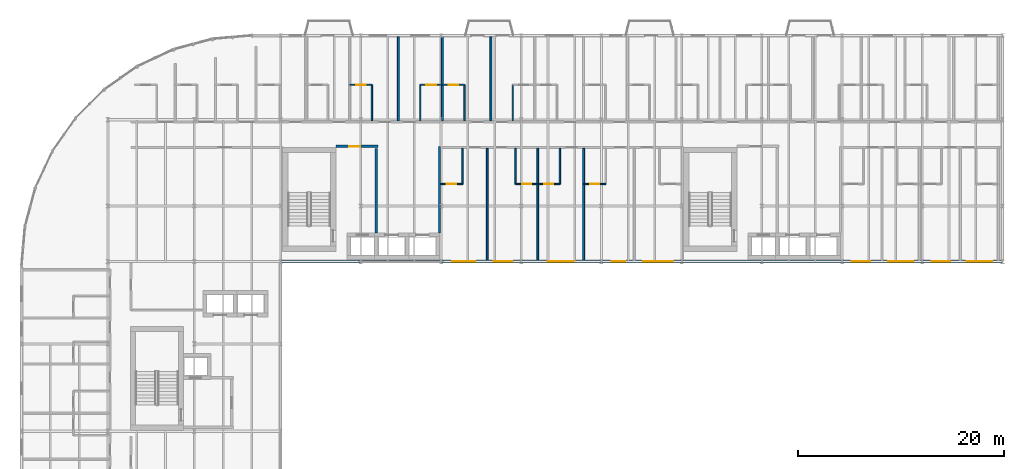
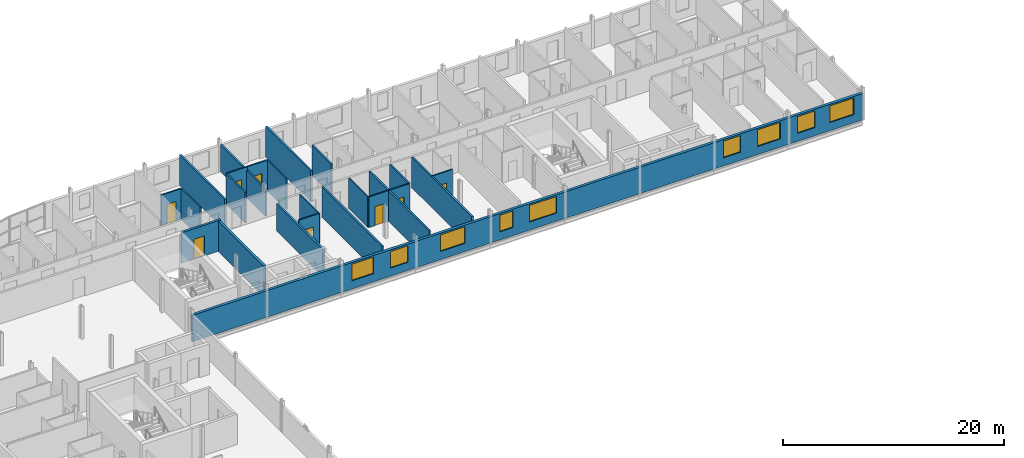
# One storey, part 16 of 25: 24 walls, 9 windows, 8 doors, 17 openings.
"""IFC4 building model written with IfcOpenShell, lengths in metres."""

from ifc_helpers import new_model, si_unit, direction, frame, frame_2d, origin, place, context, subcontext, project, spatial, rectangle, extrude, material, layer, layer_set, type_object, element, fill, save


model = new_model("IFC4")

# Units and contexts
model_context = context("Model", 3, precision=1e-05, world=origin(), true_north=direction((0.0, 1.0)))
body_context = subcontext(model_context, "Body", "Model", "MODEL_VIEW")
ifc_project = project(units=[si_unit("LENGTHUNIT", "METRE"), si_unit("AREAUNIT", "SQUARE_METRE"), si_unit("VOLUMEUNIT", "CUBIC_METRE"), si_unit("PLANEANGLEUNIT", "RADIAN"), si_unit("MASSUNIT", "GRAM", prefix="KILO")], contexts=[model_context])

# Site, building, storey
site_placement = place(None, origin())
site = spatial("IfcSite", under=ifc_project, at=site_placement, CompositionType="ELEMENT")
building_placement = place(site_placement, origin())
building = spatial("IfcBuilding", under=site, at=building_placement, Name="Sefraquen Railside Congress Hotel", CompositionType="ELEMENT")
storey_placement = place(building_placement, frame((0.0, 0.0, 39.0)))
storey = spatial("IfcBuildingStorey", under=building, at=storey_placement, Name="L09", CompositionType="ELEMENT", Elevation=39.0)

# Wall, openings, windows
ifc_material_1 = material(Name="Ochre Rabat calcarenite limestone and Concrete C40/50 backing", Category="masonry")
ifc_layer_1 = layer(ifc_material_1, 0.280029296875)
ifc_layer_set_1 = layer_set([ifc_layer_1], Name="Ochre Rabat calcarenite limestone and Concrete C40/50 backing")
wall_type_1 = type_object("IfcWallType", Name="TW-EW-280", PredefinedType="STANDARD", material=ifc_layer_set_1)
wall_1_placement = place(storey_placement, frame((25.199951171875, 96.0, 0.0), z_axis=(0.0, 0.0, 1.0), x_axis=(1.0, 0.0, 0.0)))
wall_1 = element("IfcWall", 1, at=wall_1_placement, inside=storey, type_object=wall_type_1, Name="Hotel L09 south courtyard facade wall", PredefinedType="STANDARD", context=body_context, shape_type="SweptSolid", body=[
    extrude(rectangle(XDim=70.199951171875, YDim=0.280029296875, at=frame_2d((35.10009765625, 0.0))), origin(), (0.0, 0.0, 1.0), 2.919921875),
])
opening_1_placement = place(wall_1_placement, frame((16.695068359375, 0.0, 0.89990234375)))
opening_1 = element("IfcOpeningElement", 2, at=opening_1_placement, cuts=wall_1, Name="Opening WN-08", PredefinedType="OPENING", context=body_context, shape_type="SweptSolid", body=[
    extrude(rectangle(XDim=2.25, YDim=1.840087890625, at=frame_2d((1.125, 0.919921875))), frame((0.0, 0.14990234375, 0.0), z_axis=(0.0, -1.0, 0.0), x_axis=(1.0, 0.0, 0.0)), (0.0, 0.0, 1.0), 0.300048828125),
])
opening_2_placement = place(wall_1_placement, frame((20.748046875, 0.0, 0.89990234375)))
opening_2 = element("IfcOpeningElement", 3, at=opening_2_placement, cuts=wall_1, Name="Opening WN-09", PredefinedType="OPENING", context=body_context, shape_type="SweptSolid", body=[
    extrude(rectangle(XDim=1.800048828125, YDim=1.840087890625, at=frame_2d((0.89990234375, 0.919921875))), frame((0.0, 0.14990234375, 0.0), z_axis=(0.0, -1.0, 0.0), x_axis=(1.0, 0.0, 0.0)), (0.0, 0.0, 1.0), 0.300048828125),
])
opening_3_placement = place(wall_1_placement, frame((25.962890625, 0.0, 0.89990234375)))
opening_3 = element("IfcOpeningElement", 4, at=opening_3_placement, cuts=wall_1, Name="Opening WN-10", PredefinedType="OPENING", context=body_context, shape_type="SweptSolid", body=[
    extrude(rectangle(XDim=2.550048828125, YDim=1.840087890625, at=frame_2d((1.27490234375, 0.919921875))), frame((0.0, 0.14990234375, 0.0), z_axis=(0.0, -1.0, 0.0), x_axis=(1.0, 0.0, 0.0)), (0.0, 0.0, 1.0), 0.300048828125),
])
opening_4_placement = place(wall_1_placement, frame((32.177001953125, 0.0, 0.89990234375)))
opening_4 = element("IfcOpeningElement", 5, at=opening_4_placement, cuts=wall_1, Name="Opening WN-11", PredefinedType="OPENING", context=body_context, shape_type="SweptSolid", body=[
    extrude(rectangle(XDim=1.35009765625, YDim=1.840087890625, at=frame_2d((0.675048828125, 0.919921875))), frame((0.0, 0.14990234375, 0.0), z_axis=(0.0, -1.0, 0.0), x_axis=(1.0, 0.0, 0.0)), (0.0, 0.0, 1.0), 0.300048828125),
])
opening_5_placement = place(wall_1_placement, frame((35.26708984375, 0.0, 0.89990234375)))
opening_5 = element("IfcOpeningElement", 6, at=opening_5_placement, cuts=wall_1, Name="Opening WN-12", PredefinedType="OPENING", context=body_context, shape_type="SweptSolid", body=[
    extrude(rectangle(XDim=2.85009765625, YDim=1.840087890625, at=frame_2d((1.425048828125, 0.919921875))), frame((0.0, 0.14990234375, 0.0), z_axis=(0.0, -1.0, 0.0), x_axis=(1.0, 0.0, 0.0)), (0.0, 0.0, 1.0), 0.300048828125),
])
opening_6_placement = place(wall_1_placement, frame((55.56005859375, 0.0, 0.89990234375)))
opening_6 = element("IfcOpeningElement", 7, at=opening_6_placement, cuts=wall_1, Name="Opening WN-13", PredefinedType="OPENING", context=body_context, shape_type="SweptSolid", body=[
    extrude(rectangle(XDim=1.800048828125, YDim=1.840087890625, at=frame_2d((0.89990234375, 0.919921875))), frame((0.0, 0.14990234375, 0.0), z_axis=(0.0, -1.0, 0.0), x_axis=(1.0, 0.0, 0.0)), (0.0, 0.0, 1.0), 0.300048828125),
])
opening_7_placement = place(wall_1_placement, frame((59.093017578125, 0.0, 0.89990234375)))
opening_7 = element("IfcOpeningElement", 8, at=opening_7_placement, cuts=wall_1, Name="Opening WN-14", PredefinedType="OPENING", context=body_context, shape_type="SweptSolid", body=[
    extrude(rectangle(XDim=2.412109375, YDim=1.840087890625, at=frame_2d((1.2060546875, 0.919921875))), frame((0.0, 0.14990234375, 0.0), z_axis=(0.0, -1.0, 0.0), x_axis=(1.0, 0.0, 0.0)), (0.0, 0.0, 1.0), 0.300048828125),
])
opening_8_placement = place(wall_1_placement, frame((63.324951171875, 0.0, 0.89990234375)))
opening_8 = element("IfcOpeningElement", 9, at=opening_8_placement, cuts=wall_1, Name="Opening WN-15", PredefinedType="OPENING", context=body_context, shape_type="SweptSolid", body=[
    extrude(rectangle(XDim=1.800048828125, YDim=1.840087890625, at=frame_2d((0.89990234375, 0.919921875))), frame((0.0, 0.14990234375, 0.0), z_axis=(0.0, -1.0, 0.0), x_axis=(1.0, 0.0, 0.0)), (0.0, 0.0, 1.0), 0.300048828125),
])
opening_9_placement = place(wall_1_placement, frame((66.718017578125, 0.0, 0.89990234375)))
opening_9 = element("IfcOpeningElement", 10, at=opening_9_placement, cuts=wall_1, Name="Opening WN-16", PredefinedType="OPENING", context=body_context, shape_type="SweptSolid", body=[
    extrude(rectangle(XDim=2.471923828125, YDim=1.840087890625, at=frame_2d((1.23583984375, 0.919921875))), frame((0.0, 0.14990234375, 0.0), z_axis=(0.0, -1.0, 0.0), x_axis=(1.0, 0.0, 0.0)), (0.0, 0.0, 1.0), 0.300048828125),
])
ifc_material_2 = material(Name="Solar-control low-E double glazing in bronze-anodised frame", Category="glass")
window_type_1 = type_object("IfcWindowType", Name="TWN-W-08", PartitioningType="DOUBLE_PANEL_VERTICAL", PredefinedType="WINDOW", material=ifc_material_2)
window_1_placement = place(opening_1_placement, origin())
window_1 = element("IfcWindow", 11, at=window_1_placement, inside=storey, type_object=window_type_1, Name="Guest room courtyard window SP-L09-RM-017", OverallHeight=1.840087890625, OverallWidth=2.25, PartitioningType="DOUBLE_PANEL_VERTICAL", PredefinedType="WINDOW", context=body_context, shape_type="SweptSolid", body=[
    extrude(rectangle(XDim=2.25, YDim=1.840087890625, at=frame_2d((1.125, 0.919921875))), frame((0.0, 0.030029296875, 0.0), z_axis=(0.0, -1.0, 0.0), x_axis=(1.0, 0.0, 0.0)), (0.0, 0.0, 1.0), 0.06005859375),
])
fill(opening_1, window_1)
window_type_2 = type_object("IfcWindowType", Name="TWN-W-09", PartitioningType="DOUBLE_PANEL_VERTICAL", PredefinedType="WINDOW", material=ifc_material_2)
window_2_placement = place(opening_2_placement, origin())
window_2 = element("IfcWindow", 12, at=window_2_placement, inside=storey, type_object=window_type_2, Name="Guest room courtyard window SP-L09-RM-018", OverallHeight=1.840087890625, OverallWidth=1.800048828125, PartitioningType="DOUBLE_PANEL_VERTICAL", PredefinedType="WINDOW", context=body_context, shape_type="SweptSolid", body=[
    extrude(rectangle(XDim=1.800048828125, YDim=1.840087890625, at=frame_2d((0.89990234375, 0.919921875))), frame((0.0, 0.030029296875, 0.0), z_axis=(0.0, -1.0, 0.0), x_axis=(1.0, 0.0, 0.0)), (0.0, 0.0, 1.0), 0.06005859375),
])
fill(opening_2, window_2)
window_type_3 = type_object("IfcWindowType", Name="TWN-W-10", PartitioningType="DOUBLE_PANEL_VERTICAL", PredefinedType="WINDOW", material=ifc_material_2)
window_3_placement = place(opening_3_placement, origin())
window_3 = element("IfcWindow", 13, at=window_3_placement, inside=storey, type_object=window_type_3, Name="Guest room courtyard window SP-L09-RM-019", OverallHeight=1.840087890625, OverallWidth=2.550048828125, PartitioningType="DOUBLE_PANEL_VERTICAL", PredefinedType="WINDOW", context=body_context, shape_type="SweptSolid", body=[
    extrude(rectangle(XDim=2.550048828125, YDim=1.840087890625, at=frame_2d((1.27490234375, 0.919921875))), frame((0.0, 0.030029296875, 0.0), z_axis=(0.0, -1.0, 0.0), x_axis=(1.0, 0.0, 0.0)), (0.0, 0.0, 1.0), 0.06005859375),
])
fill(opening_3, window_3)
window_type_4 = type_object("IfcWindowType", Name="TWN-W-11", PartitioningType="DOUBLE_PANEL_VERTICAL", PredefinedType="WINDOW", material=ifc_material_2)
window_4_placement = place(opening_4_placement, origin())
window_4 = element("IfcWindow", 14, at=window_4_placement, inside=storey, type_object=window_type_4, Name="Guest room courtyard window SP-L09-RM-020", OverallHeight=1.840087890625, OverallWidth=1.35009765625, PartitioningType="DOUBLE_PANEL_VERTICAL", PredefinedType="WINDOW", context=body_context, shape_type="SweptSolid", body=[
    extrude(rectangle(XDim=1.35009765625, YDim=1.840087890625, at=frame_2d((0.675048828125, 0.919921875))), frame((0.0, 0.030029296875, 0.0), z_axis=(0.0, -1.0, 0.0), x_axis=(1.0, 0.0, 0.0)), (0.0, 0.0, 1.0), 0.06005859375),
])
fill(opening_4, window_4)
window_type_5 = type_object("IfcWindowType", Name="TWN-W-12", PartitioningType="DOUBLE_PANEL_VERTICAL", PredefinedType="WINDOW", material=ifc_material_2)
window_5_placement = place(opening_5_placement, origin())
window_5 = element("IfcWindow", 15, at=window_5_placement, inside=storey, type_object=window_type_5, Name="Guest room courtyard window SP-L09-RM-021", OverallHeight=1.840087890625, OverallWidth=2.85009765625, PartitioningType="DOUBLE_PANEL_VERTICAL", PredefinedType="WINDOW", context=body_context, shape_type="SweptSolid", body=[
    extrude(rectangle(XDim=2.85009765625, YDim=1.840087890625, at=frame_2d((1.425048828125, 0.919921875))), frame((0.0, 0.030029296875, 0.0), z_axis=(0.0, -1.0, 0.0), x_axis=(1.0, 0.0, 0.0)), (0.0, 0.0, 1.0), 0.06005859375),
])
fill(opening_5, window_5)
window_type_6 = type_object("IfcWindowType", Name="TWN-W-13", PartitioningType="DOUBLE_PANEL_VERTICAL", PredefinedType="WINDOW", material=ifc_material_2)
window_6_placement = place(opening_6_placement, origin())
window_6 = element("IfcWindow", 16, at=window_6_placement, inside=storey, type_object=window_type_6, Name="Guest room courtyard window SP-L09-RM-022", OverallHeight=1.840087890625, OverallWidth=1.800048828125, PartitioningType="DOUBLE_PANEL_VERTICAL", PredefinedType="WINDOW", context=body_context, shape_type="SweptSolid", body=[
    extrude(rectangle(XDim=1.800048828125, YDim=1.840087890625, at=frame_2d((0.89990234375, 0.919921875))), frame((0.0, 0.030029296875, 0.0), z_axis=(0.0, -1.0, 0.0), x_axis=(1.0, 0.0, 0.0)), (0.0, 0.0, 1.0), 0.06005859375),
])
fill(opening_6, window_6)
window_type_7 = type_object("IfcWindowType", Name="TWN-W-14", PartitioningType="DOUBLE_PANEL_VERTICAL", PredefinedType="WINDOW", material=ifc_material_2)
window_7_placement = place(opening_7_placement, origin())
window_7 = element("IfcWindow", 17, at=window_7_placement, inside=storey, type_object=window_type_7, Name="Guest room courtyard window SP-L09-RM-023", OverallHeight=1.840087890625, OverallWidth=2.412109375, PartitioningType="DOUBLE_PANEL_VERTICAL", PredefinedType="WINDOW", context=body_context, shape_type="SweptSolid", body=[
    extrude(rectangle(XDim=2.412109375, YDim=1.840087890625, at=frame_2d((1.2060546875, 0.919921875))), frame((0.0, 0.030029296875, 0.0), z_axis=(0.0, -1.0, 0.0), x_axis=(1.0, 0.0, 0.0)), (0.0, 0.0, 1.0), 0.06005859375),
])
fill(opening_7, window_7)
window_type_8 = type_object("IfcWindowType", Name="TWN-W-15", PartitioningType="DOUBLE_PANEL_VERTICAL", PredefinedType="WINDOW", material=ifc_material_2)
window_8_placement = place(opening_8_placement, origin())
window_8 = element("IfcWindow", 18, at=window_8_placement, inside=storey, type_object=window_type_8, Name="Guest room courtyard window SP-L09-RM-024", OverallHeight=1.840087890625, OverallWidth=1.800048828125, PartitioningType="DOUBLE_PANEL_VERTICAL", PredefinedType="WINDOW", context=body_context, shape_type="SweptSolid", body=[
    extrude(rectangle(XDim=1.800048828125, YDim=1.840087890625, at=frame_2d((0.89990234375, 0.919921875))), frame((0.0, 0.030029296875, 0.0), z_axis=(0.0, -1.0, 0.0), x_axis=(1.0, 0.0, 0.0)), (0.0, 0.0, 1.0), 0.06005859375),
])
fill(opening_8, window_8)
window_type_9 = type_object("IfcWindowType", Name="TWN-W-16", PartitioningType="DOUBLE_PANEL_VERTICAL", PredefinedType="WINDOW", material=ifc_material_2)
window_9_placement = place(opening_9_placement, origin())
window_9 = element("IfcWindow", 19, at=window_9_placement, inside=storey, type_object=window_type_9, Name="Guest room courtyard window SP-L09-RM-025", OverallHeight=1.840087890625, OverallWidth=2.471923828125, PartitioningType="DOUBLE_PANEL_VERTICAL", PredefinedType="WINDOW", context=body_context, shape_type="SweptSolid", body=[
    extrude(rectangle(XDim=2.471923828125, YDim=1.840087890625, at=frame_2d((1.23583984375, 0.919921875))), frame((0.0, 0.030029296875, 0.0), z_axis=(0.0, -1.0, 0.0), x_axis=(1.0, 0.0, 0.0)), (0.0, 0.0, 1.0), 0.06005859375),
])
fill(opening_9, window_9)

# Wall
ifc_material_3 = material(Name="Concrete C40/50", Category="concrete")
ifc_layer_2 = layer(ifc_material_3, 0.239990234375)
ifc_layer_set_2 = layer_set([ifc_layer_2], Name="Concrete C40/50")
wall_type_2 = type_object("IfcWallType", Name="TW-FW-240", PredefinedType="STANDARD", material=ifc_layer_set_2)
wall_2_placement = place(storey_placement, frame((34.47998046875, 98.780029296875, 0.0), z_axis=(0.0, 0.0, 1.0), x_axis=(0.0, 1.0, 0.0)))
element("IfcWall", 20, at=wall_2_placement, inside=storey, type_object=wall_type_2, Name="Firefighting Lift Lobby FFL-02 east fire wall L09", PredefinedType="STANDARD", context=body_context, shape_type="SweptSolid", body=[
    extrude(rectangle(XDim=8.239990234375, YDim=0.239990234375, at=frame_2d((4.1201171875, 0.0))), origin(), (0.0, 0.0, 1.0), 3.3798828125),
])

# Wall, opening, door
wall_3_placement = place(storey_placement, frame((30.56005859375, 107.199951171875, 0.0), z_axis=(0.0, 0.0, 1.0), x_axis=(1.0, 0.0, 0.0)))
wall_3 = element("IfcWall", 21, at=wall_3_placement, inside=storey, type_object=wall_type_2, Name="Firefighting Lift Lobby FFL-02 EI 120 separation wall L09", PredefinedType="STANDARD", context=body_context, shape_type="SweptSolid", body=[
    extrude(rectangle(XDim=4.099853515625, YDim=0.239990234375, at=frame_2d((2.0498046875, 0.0))), origin(), (0.0, 0.0, 1.0), 3.3798828125),
])
opening_10_placement = place(wall_3_placement, frame((1.300048828125, 0.0, 0.0)))
opening_10 = element("IfcOpeningElement", 22, at=opening_10_placement, cuts=wall_3, Name="Opening FD-04", PredefinedType="OPENING", context=body_context, shape_type="SweptSolid", body=[
    extrude(rectangle(XDim=1.10009765625, YDim=2.199951171875, at=frame_2d((0.550048828125, 1.10009765625))), frame((0.0, 0.1298828125, 0.0), z_axis=(0.0, -1.0, 0.0), x_axis=(1.0, 0.0, 0.0)), (0.0, 0.0, 1.0), 0.260009765625),
])
ifc_material_4 = material(Name="Fire-rated steel", Category="steel")
door_type_1 = type_object("IfcDoorType", Name="TD-FD-04", OperationType="NOTDEFINED", PredefinedType="DOOR", material=ifc_material_4)
door_1_placement = place(opening_10_placement, origin())
door_1 = element("IfcDoor", 23, at=door_1_placement, inside=storey, type_object=door_type_1, Name="Firefighting Lift Lobby FFL-02 self-closing fire door L09", OperationType="SINGLE_SWING_LEFT", OverallHeight=2.199951171875, OverallWidth=1.10009765625, PredefinedType="DOOR", context=body_context, shape_type="SweptSolid", body=[
    extrude(rectangle(XDim=1.10009765625, YDim=2.199951171875, at=frame_2d((0.550048828125, 1.10009765625))), frame((0.0, 0.02490234375, 0.0), z_axis=(0.0, -1.0, 0.0), x_axis=(1.0, 0.0, 0.0)), (0.0, 0.0, 1.0), 0.050048828125),
])
fill(opening_10, door_1)

# Wall
ifc_material_5 = material(Name="Moisture-resistant gypsum board", Category="gypsum")
ifc_layer_3 = layer(ifc_material_5, 0.139892578125)
ifc_layer_set_3 = layer_set([ifc_layer_3], Name="Moisture-resistant gypsum board")
wall_type_3 = type_object("IfcWallType", Name="TW-PW-140", PredefinedType="PARTITIONING", material=ifc_layer_set_3)
wall_4_placement = place(storey_placement, frame((34.074951171875, 109.699951171875, 0.0), z_axis=(0.0, 0.0, 1.0), x_axis=(0.0, 1.0, 0.0)))
element("IfcWall", 24, at=wall_4_placement, inside=storey, type_object=wall_type_3, Name="En-suite bathroom east wall RM-003", PredefinedType="PARTITIONING", context=body_context, shape_type="SweptSolid", body=[
    extrude(rectangle(XDim=3.5, YDim=0.139892578125, at=frame_2d((1.75, 0.0))), origin(), (0.0, 0.0, 1.0), 3.3798828125),
])

# Wall, opening, door
wall_5_placement = place(storey_placement, frame((31.925048828125, 113.199951171875, 0.0), z_axis=(0.0, 0.0, 1.0), x_axis=(1.0, 0.0, 0.0)))
wall_5 = element("IfcWall", 25, at=wall_5_placement, inside=storey, type_object=wall_type_3, Name="En-suite bathroom north wall RM-003", PredefinedType="PARTITIONING", context=body_context, shape_type="SweptSolid", body=[
    extrude(rectangle(XDim=2.14990234375, YDim=0.139892578125, at=frame_2d((1.074951171875, 0.0))), origin(), (0.0, 0.0, 1.0), 3.3798828125),
])
opening_11_placement = place(wall_5_placement, frame((0.60498046875, 0.0, 0.0)))
opening_11 = element("IfcOpeningElement", 26, at=opening_11_placement, cuts=wall_5, Name="Opening ID-01", PredefinedType="OPENING", context=body_context, shape_type="SweptSolid", body=[
    extrude(rectangle(XDim=0.93994140625, YDim=2.14990234375, at=frame_2d((0.469970703125, 1.074951171875))), frame((0.0, 0.079833984375, 0.0), z_axis=(0.0, -1.0, 0.0), x_axis=(1.0, 0.0, 0.0)), (0.0, 0.0, 1.0), 0.159912109375),
])
ifc_material_6 = material(Name="Lacquered cedar joinery", Category="wood")
door_type_2 = type_object("IfcDoorType", Name="TD-ID-01", OperationType="NOTDEFINED", PredefinedType="DOOR", material=ifc_material_6)
door_2_placement = place(opening_11_placement, origin())
door_2 = element("IfcDoor", 27, at=door_2_placement, inside=storey, type_object=door_type_2, Name="En-suite bathroom door RM-003", OperationType="SINGLE_SWING_LEFT", OverallHeight=2.14990234375, OverallWidth=0.93994140625, PredefinedType="DOOR", context=body_context, shape_type="SweptSolid", body=[
    extrude(rectangle(XDim=0.93994140625, YDim=2.14990234375, at=frame_2d((0.469970703125, 1.074951171875))), frame((0.0, 0.02490234375, 0.0), z_axis=(0.0, -1.0, 0.0), x_axis=(1.0, 0.0, 0.0)), (0.0, 0.0, 1.0), 0.050048828125),
])
fill(opening_11, door_2)

# Wall
wall_6_placement = place(storey_placement, frame((38.77490234375, 109.699951171875, 0.0), z_axis=(0.0, 0.0, 1.0), x_axis=(0.0, 1.0, 0.0)))
element("IfcWall", 28, at=wall_6_placement, inside=storey, type_object=wall_type_3, Name="En-suite bathroom west wall RM-004", PredefinedType="PARTITIONING", context=body_context, shape_type="SweptSolid", body=[
    extrude(rectangle(XDim=3.5, YDim=0.139892578125, at=frame_2d((1.75, 0.0))), origin(), (0.0, 0.0, 1.0), 3.3798828125),
])

# Wall, opening, door
wall_7_placement = place(storey_placement, frame((38.77490234375, 113.199951171875, 0.0), z_axis=(0.0, 0.0, 1.0), x_axis=(1.0, 0.0, 0.0)))
wall_7 = element("IfcWall", 29, at=wall_7_placement, inside=storey, type_object=wall_type_3, Name="En-suite bathroom north wall RM-004", PredefinedType="PARTITIONING", context=body_context, shape_type="SweptSolid", body=[
    extrude(rectangle(XDim=2.150146484375, YDim=0.139892578125, at=frame_2d((1.0751953125, 0.0))), origin(), (0.0, 0.0, 1.0), 3.3798828125),
])
opening_12_placement = place(wall_7_placement, frame((0.60498046875, 0.0, 0.0)))
opening_12 = element("IfcOpeningElement", 30, at=opening_12_placement, cuts=wall_7, Name="Opening ID-01", PredefinedType="OPENING", context=body_context, shape_type="SweptSolid", body=[
    extrude(rectangle(XDim=0.93994140625, YDim=2.14990234375, at=frame_2d((0.469970703125, 1.074951171875))), frame((0.0, 0.079833984375, 0.0), z_axis=(0.0, -1.0, 0.0), x_axis=(1.0, 0.0, 0.0)), (0.0, 0.0, 1.0), 0.159912109375),
])
door_3_placement = place(opening_12_placement, origin())
door_3 = element("IfcDoor", 31, at=door_3_placement, inside=storey, type_object=door_type_2, Name="En-suite bathroom door RM-004", OperationType="SINGLE_SWING_LEFT", OverallHeight=2.14990234375, OverallWidth=0.93994140625, PredefinedType="DOOR", context=body_context, shape_type="SweptSolid", body=[
    extrude(rectangle(XDim=0.93994140625, YDim=2.14990234375, at=frame_2d((0.469970703125, 1.074951171875))), frame((0.0, 0.02490234375, 0.0), z_axis=(0.0, -1.0, 0.0), x_axis=(1.0, 0.0, 0.0)), (0.0, 0.0, 1.0), 0.050048828125),
])
fill(opening_12, door_3)

# Wall
wall_8_placement = place(storey_placement, frame((43.074951171875, 109.699951171875, 0.0), z_axis=(0.0, 0.0, 1.0), x_axis=(0.0, 1.0, 0.0)))
element("IfcWall", 32, at=wall_8_placement, inside=storey, type_object=wall_type_3, Name="En-suite bathroom east wall RM-005", PredefinedType="PARTITIONING", context=body_context, shape_type="SweptSolid", body=[
    extrude(rectangle(XDim=3.5, YDim=0.139892578125, at=frame_2d((1.75, 0.0))), origin(), (0.0, 0.0, 1.0), 3.3798828125),
])

# Wall, opening, door
wall_9_placement = place(storey_placement, frame((40.925048828125, 113.199951171875, 0.0), z_axis=(0.0, 0.0, 1.0), x_axis=(1.0, 0.0, 0.0)))
wall_9 = element("IfcWall", 33, at=wall_9_placement, inside=storey, type_object=wall_type_3, Name="En-suite bathroom north wall RM-005", PredefinedType="PARTITIONING", context=body_context, shape_type="SweptSolid", body=[
    extrude(rectangle(XDim=2.14990234375, YDim=0.139892578125, at=frame_2d((1.074951171875, 0.0))), origin(), (0.0, 0.0, 1.0), 3.3798828125),
])
opening_13_placement = place(wall_9_placement, frame((0.625, 0.0, 0.0)))
opening_13 = element("IfcOpeningElement", 34, at=opening_13_placement, cuts=wall_9, Name="Opening ID-02", PredefinedType="OPENING", context=body_context, shape_type="SweptSolid", body=[
    extrude(rectangle(XDim=0.89990234375, YDim=2.10009765625, at=frame_2d((0.449951171875, 1.050048828125))), frame((0.0, 0.079833984375, 0.0), z_axis=(0.0, -1.0, 0.0), x_axis=(1.0, 0.0, 0.0)), (0.0, 0.0, 1.0), 0.159912109375),
])
door_type_3 = type_object("IfcDoorType", Name="TD-ID-02", OperationType="NOTDEFINED", PredefinedType="DOOR", material=ifc_material_6)
door_4_placement = place(opening_13_placement, origin())
door_4 = element("IfcDoor", 35, at=door_4_placement, inside=storey, type_object=door_type_3, Name="En-suite bathroom door RM-005", OperationType="SINGLE_SWING_LEFT", OverallHeight=2.10009765625, OverallWidth=0.89990234375, PredefinedType="DOOR", context=body_context, shape_type="SweptSolid", body=[
    extrude(rectangle(XDim=0.89990234375, YDim=2.10009765625, at=frame_2d((0.449951171875, 1.050048828125))), frame((0.0, 0.02490234375, 0.0), z_axis=(0.0, -1.0, 0.0), x_axis=(1.0, 0.0, 0.0)), (0.0, 0.0, 1.0), 0.050048828125),
])
fill(opening_13, door_4)

# Walls
wall_10_placement = place(storey_placement, frame((47.77490234375, 109.699951171875, 0.0), z_axis=(0.0, 0.0, 1.0), x_axis=(0.0, 1.0, 0.0)))
element("IfcWall", 36, at=wall_10_placement, inside=storey, type_object=wall_type_3, Name="En-suite bathroom west wall RM-006", PredefinedType="PARTITIONING", context=body_context, shape_type="SweptSolid", body=[
    extrude(rectangle(XDim=3.5, YDim=0.139892578125, at=frame_2d((1.75, 0.0))), origin(), (0.0, 0.0, 1.0), 3.3798828125),
])
wall_11_placement = place(storey_placement, frame((42.89990234375, 103.550048828125, 0.0), z_axis=(0.0, 0.0, 1.0), x_axis=(0.0, 1.0, 0.0)))
element("IfcWall", 37, at=wall_11_placement, inside=storey, type_object=wall_type_3, Name="En-suite bathroom east wall RM-017", PredefinedType="PARTITIONING", context=body_context, shape_type="SweptSolid", body=[
    extrude(rectangle(XDim=3.469970703125, YDim=0.139892578125, at=frame_2d((1.73486328125, 0.0))), origin(), (0.0, 0.0, 1.0), 3.3798828125),
])

# Wall, opening, door
wall_12_placement = place(storey_placement, frame((40.75, 103.550048828125, 0.0), z_axis=(0.0, 0.0, 1.0), x_axis=(1.0, 0.0, 0.0)))
wall_12 = element("IfcWall", 38, at=wall_12_placement, inside=storey, type_object=wall_type_3, Name="En-suite bathroom south wall RM-017", PredefinedType="PARTITIONING", context=body_context, shape_type="SweptSolid", body=[
    extrude(rectangle(XDim=2.14990234375, YDim=0.139892578125, at=frame_2d((1.074951171875, 0.0))), origin(), (0.0, 0.0, 1.0), 3.3798828125),
])
opening_14_placement = place(wall_12_placement, frame((0.625, 0.0, 0.0)))
opening_14 = element("IfcOpeningElement", 39, at=opening_14_placement, cuts=wall_12, Name="Opening ID-02", PredefinedType="OPENING", context=body_context, shape_type="SweptSolid", body=[
    extrude(rectangle(XDim=0.89990234375, YDim=2.10009765625, at=frame_2d((0.449951171875, 1.050048828125))), frame((0.0, 0.079833984375, 0.0), z_axis=(0.0, -1.0, 0.0), x_axis=(1.0, 0.0, 0.0)), (0.0, 0.0, 1.0), 0.159912109375),
])
door_5_placement = place(opening_14_placement, frame((0.89990234375, 0.0, 0.0), z_axis=(0.0, 0.0, 1.0), x_axis=(-1.0, 0.0, 0.0)))
door_5 = element("IfcDoor", 40, at=door_5_placement, inside=storey, type_object=door_type_3, Name="En-suite bathroom door RM-017", OperationType="SINGLE_SWING_LEFT", OverallHeight=2.10009765625, OverallWidth=0.89990234375, PredefinedType="DOOR", context=body_context, shape_type="SweptSolid", body=[
    extrude(rectangle(XDim=0.89990234375, YDim=2.10009765625, at=frame_2d((0.449951171875, 1.050048828125))), frame((0.0, 0.02490234375, 0.0), z_axis=(0.0, -1.0, 0.0), x_axis=(1.0, 0.0, 0.0)), (0.0, 0.0, 1.0), 0.050048828125),
])
fill(opening_14, door_5)

# Wall
wall_13_placement = place(storey_placement, frame((48.054931640625, 103.550048828125, 0.0), z_axis=(0.0, 0.0, 1.0), x_axis=(0.0, 1.0, 0.0)))
element("IfcWall", 41, at=wall_13_placement, inside=storey, type_object=wall_type_3, Name="En-suite bathroom west wall RM-018", PredefinedType="PARTITIONING", context=body_context, shape_type="SweptSolid", body=[
    extrude(rectangle(XDim=3.469970703125, YDim=0.139892578125, at=frame_2d((1.73486328125, 0.0))), origin(), (0.0, 0.0, 1.0), 3.3798828125),
])

# Wall, opening, door
wall_14_placement = place(storey_placement, frame((48.054931640625, 103.550048828125, 0.0), z_axis=(0.0, 0.0, 1.0), x_axis=(1.0, 0.0, 0.0)))
wall_14 = element("IfcWall", 42, at=wall_14_placement, inside=storey, type_object=wall_type_3, Name="En-suite bathroom south wall RM-018", PredefinedType="PARTITIONING", context=body_context, shape_type="SweptSolid", body=[
    extrude(rectangle(XDim=2.150146484375, YDim=0.139892578125, at=frame_2d((1.0751953125, 0.0))), origin(), (0.0, 0.0, 1.0), 3.3798828125),
])
opening_15_placement = place(wall_14_placement, frame((0.625, 0.0, 0.0)))
opening_15 = element("IfcOpeningElement", 43, at=opening_15_placement, cuts=wall_14, Name="Opening ID-02", PredefinedType="OPENING", context=body_context, shape_type="SweptSolid", body=[
    extrude(rectangle(XDim=0.89990234375, YDim=2.10009765625, at=frame_2d((0.449951171875, 1.050048828125))), frame((0.0, 0.079833984375, 0.0), z_axis=(0.0, -1.0, 0.0), x_axis=(1.0, 0.0, 0.0)), (0.0, 0.0, 1.0), 0.159912109375),
])
door_6_placement = place(opening_15_placement, frame((0.89990234375, 0.0, 0.0), z_axis=(0.0, 0.0, 1.0), x_axis=(-1.0, 0.0, 0.0)))
door_6 = element("IfcDoor", 44, at=door_6_placement, inside=storey, type_object=door_type_3, Name="En-suite bathroom door RM-018", OperationType="SINGLE_SWING_LEFT", OverallHeight=2.10009765625, OverallWidth=0.89990234375, PredefinedType="DOOR", context=body_context, shape_type="SweptSolid", body=[
    extrude(rectangle(XDim=0.89990234375, YDim=2.10009765625, at=frame_2d((0.449951171875, 1.050048828125))), frame((0.0, 0.02490234375, 0.0), z_axis=(0.0, -1.0, 0.0), x_axis=(1.0, 0.0, 0.0)), (0.0, 0.0, 1.0), 0.050048828125),
])
fill(opening_15, door_6)

# Wall
wall_15_placement = place(storey_placement, frame((52.35498046875, 103.550048828125, 0.0), z_axis=(0.0, 0.0, 1.0), x_axis=(0.0, 1.0, 0.0)))
element("IfcWall", 45, at=wall_15_placement, inside=storey, type_object=wall_type_3, Name="En-suite bathroom east wall RM-019", PredefinedType="PARTITIONING", context=body_context, shape_type="SweptSolid", body=[
    extrude(rectangle(XDim=3.469970703125, YDim=0.139892578125, at=frame_2d((1.73486328125, 0.0))), origin(), (0.0, 0.0, 1.0), 3.3798828125),
])

# Wall, opening, door
wall_16_placement = place(storey_placement, frame((50.205078125, 103.550048828125, 0.0), z_axis=(0.0, 0.0, 1.0), x_axis=(1.0, 0.0, 0.0)))
wall_16 = element("IfcWall", 46, at=wall_16_placement, inside=storey, type_object=wall_type_3, Name="En-suite bathroom south wall RM-019", PredefinedType="PARTITIONING", context=body_context, shape_type="SweptSolid", body=[
    extrude(rectangle(XDim=2.14990234375, YDim=0.139892578125, at=frame_2d((1.074951171875, 0.0))), origin(), (0.0, 0.0, 1.0), 3.3798828125),
])
opening_16_placement = place(wall_16_placement, frame((0.625, 0.0, 0.0)))
opening_16 = element("IfcOpeningElement", 47, at=opening_16_placement, cuts=wall_16, Name="Opening ID-02", PredefinedType="OPENING", context=body_context, shape_type="SweptSolid", body=[
    extrude(rectangle(XDim=0.89990234375, YDim=2.10009765625, at=frame_2d((0.449951171875, 1.050048828125))), frame((0.0, 0.079833984375, 0.0), z_axis=(0.0, -1.0, 0.0), x_axis=(1.0, 0.0, 0.0)), (0.0, 0.0, 1.0), 0.159912109375),
])
door_7_placement = place(opening_16_placement, frame((0.89990234375, 0.0, 0.0), z_axis=(0.0, 0.0, 1.0), x_axis=(-1.0, 0.0, 0.0)))
door_7 = element("IfcDoor", 48, at=door_7_placement, inside=storey, type_object=door_type_3, Name="En-suite bathroom door RM-019", OperationType="SINGLE_SWING_LEFT", OverallHeight=2.10009765625, OverallWidth=0.89990234375, PredefinedType="DOOR", context=body_context, shape_type="SweptSolid", body=[
    extrude(rectangle(XDim=0.89990234375, YDim=2.10009765625, at=frame_2d((0.449951171875, 1.050048828125))), frame((0.0, 0.02490234375, 0.0), z_axis=(0.0, -1.0, 0.0), x_axis=(1.0, 0.0, 0.0)), (0.0, 0.0, 1.0), 0.050048828125),
])
fill(opening_16, door_7)

wall_17_placement = place(storey_placement, frame((54.669921875, 103.550048828125, 0.0), z_axis=(0.0, 0.0, 1.0), x_axis=(1.0, 0.0, 0.0)))
wall_17 = element("IfcWall", 49, at=wall_17_placement, inside=storey, type_object=wall_type_3, Name="En-suite bathroom south wall RM-020", PredefinedType="PARTITIONING", context=body_context, shape_type="SweptSolid", body=[
    extrude(rectangle(XDim=2.150146484375, YDim=0.139892578125, at=frame_2d((1.0751953125, 0.0))), origin(), (0.0, 0.0, 1.0), 3.3798828125),
])
opening_17_placement = place(wall_17_placement, frame((0.625, 0.0, 0.0)))
opening_17 = element("IfcOpeningElement", 50, at=opening_17_placement, cuts=wall_17, Name="Opening ID-02", PredefinedType="OPENING", context=body_context, shape_type="SweptSolid", body=[
    extrude(rectangle(XDim=0.89990234375, YDim=2.10009765625, at=frame_2d((0.449951171875, 1.050048828125))), frame((0.0, 0.079833984375, 0.0), z_axis=(0.0, -1.0, 0.0), x_axis=(1.0, 0.0, 0.0)), (0.0, 0.0, 1.0), 0.159912109375),
])
door_8_placement = place(opening_17_placement, frame((0.89990234375, 0.0, 0.0), z_axis=(0.0, 0.0, 1.0), x_axis=(-1.0, 0.0, 0.0)))
door_8 = element("IfcDoor", 51, at=door_8_placement, inside=storey, type_object=door_type_3, Name="En-suite bathroom door RM-020", OperationType="SINGLE_SWING_LEFT", OverallHeight=2.10009765625, OverallWidth=0.89990234375, PredefinedType="DOOR", context=body_context, shape_type="SweptSolid", body=[
    extrude(rectangle(XDim=0.89990234375, YDim=2.10009765625, at=frame_2d((0.449951171875, 1.050048828125))), frame((0.0, 0.02490234375, 0.0), z_axis=(0.0, -1.0, 0.0), x_axis=(1.0, 0.0, 0.0)), (0.0, 0.0, 1.0), 0.050048828125),
])
fill(opening_17, door_8)

# Walls
ifc_material_7 = material(Name="Acoustic gypsum board on metal stud", Category="gypsum")
ifc_layer_4 = layer(ifc_material_7, 0.179931640625)
ifc_layer_set_4 = layer_set([ifc_layer_4], Name="Acoustic gypsum board on metal stud")
wall_type_4 = type_object("IfcWallType", Name="TW-PW-180", PredefinedType="PARTITIONING", material=ifc_layer_set_4)
wall_18_placement = place(storey_placement, frame((36.64990234375, 109.699951171875, 0.0), z_axis=(0.0, 0.0, 1.0), x_axis=(0.0, 1.0, 0.0)))
element("IfcWall", 52, at=wall_18_placement, inside=storey, type_object=wall_type_4, Name="Guest room demising wall RM-003", PredefinedType="PARTITIONING", context=body_context, shape_type="SweptSolid", body=[
    extrude(rectangle(XDim=8.150146484375, YDim=0.179931640625, at=frame_2d((4.0751953125, 0.0))), origin(), (0.0, 0.0, 1.0), 3.3798828125),
])
wall_19_placement = place(storey_placement, frame((40.925048828125, 109.699951171875, 0.0), z_axis=(0.0, 0.0, 1.0), x_axis=(0.0, 1.0, 0.0)))
element("IfcWall", 53, at=wall_19_placement, inside=storey, type_object=wall_type_4, Name="Guest room demising wall RM-004", PredefinedType="PARTITIONING", context=body_context, shape_type="SweptSolid", body=[
    extrude(rectangle(XDim=8.150146484375, YDim=0.179931640625, at=frame_2d((4.0751953125, 0.0))), origin(), (0.0, 0.0, 1.0), 3.010009765625),
])
wall_20_placement = place(storey_placement, frame((45.64990234375, 109.699951171875, 0.0), z_axis=(0.0, 0.0, 1.0), x_axis=(0.0, 1.0, 0.0)))
element("IfcWall", 54, at=wall_20_placement, inside=storey, type_object=wall_type_4, Name="Guest room demising wall RM-005", PredefinedType="PARTITIONING", context=body_context, shape_type="SweptSolid", body=[
    extrude(rectangle(XDim=8.150146484375, YDim=0.179931640625, at=frame_2d((4.0751953125, 0.0))), origin(), (0.0, 0.0, 1.0), 3.3798828125),
])
for number, where, z_axis, x_axis, name in (
    (55, (45.2900390625, 96.139892578125, 0.0), (0.0, 0.0, 1.0), (0.0, 1.0, 0.0), "South guest room demising wall RM-017"),
    (56, (50.205078125, 96.139892578125, 0.0), (0.0, 0.0, 1.0), (0.0, 1.0, 0.0), "South guest room demising wall RM-018"),
    (57, (54.669921875, 96.139892578125, 0.0), (0.0, 0.0, 1.0), (0.0, 1.0, 0.0), "South guest room demising wall RM-019"),
):
    element("IfcWall", number, at=place(storey_placement, frame(where, z_axis=z_axis, x_axis=x_axis)), inside=storey, type_object=wall_type_4, Name=name, PredefinedType="PARTITIONING", context=body_context, shape_type="SweptSolid", body=[
        extrude(rectangle(XDim=10.880126953125, YDim=0.179931640625, at=frame_2d((5.43994140625, 0.0))), origin(), (0.0, 0.0, 1.0), 3.3798828125),
    ])
ifc_layer_5 = layer(ifc_material_7, 0.199951171875)
ifc_layer_set_5 = layer_set([ifc_layer_5], Name="Acoustic gypsum board on metal stud")
wall_type_5 = type_object("IfcWallType", Name="TW-PW-200", PredefinedType="PARTITIONING", material=ifc_layer_set_5)
wall_21_placement = place(storey_placement, frame((40.659912109375, 98.77001953125, 0.0), z_axis=(0.0, 0.0, 1.0), x_axis=(0.0, 1.0, 0.0)))
element("IfcWall", 58, at=wall_21_placement, inside=storey, type_object=wall_type_5, Name="Hotel L09 south-mid west end fire-rated partition", PredefinedType="PARTITIONING", context=body_context, shape_type="SweptSolid", body=[
    extrude(rectangle(XDim=8.449951171875, YDim=0.199951171875, at=frame_2d((4.22509765625, 0.0))), origin(), (0.0, 0.0, 1.0), 3.010009765625),
])

save(model, "model.ifc")
